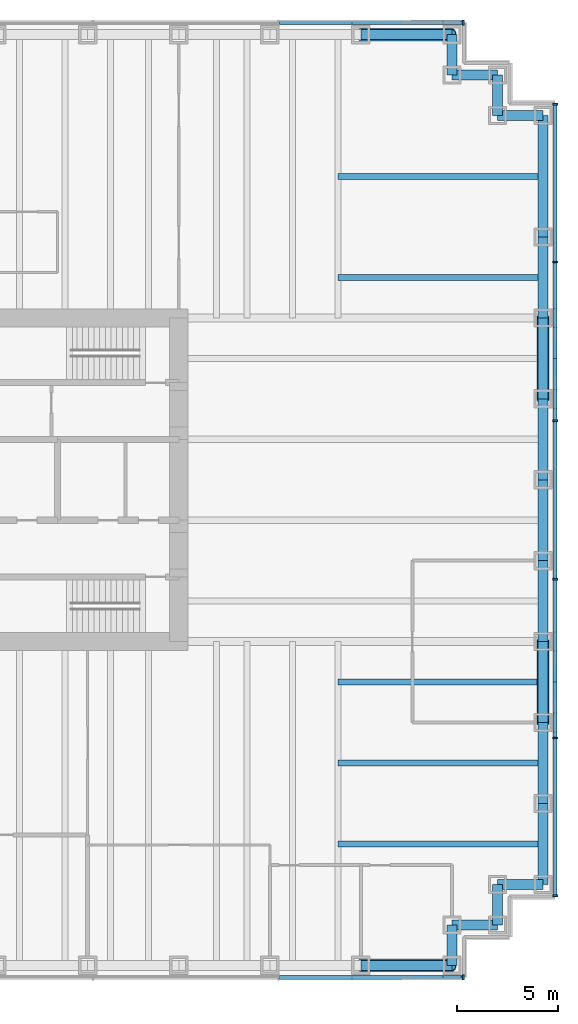
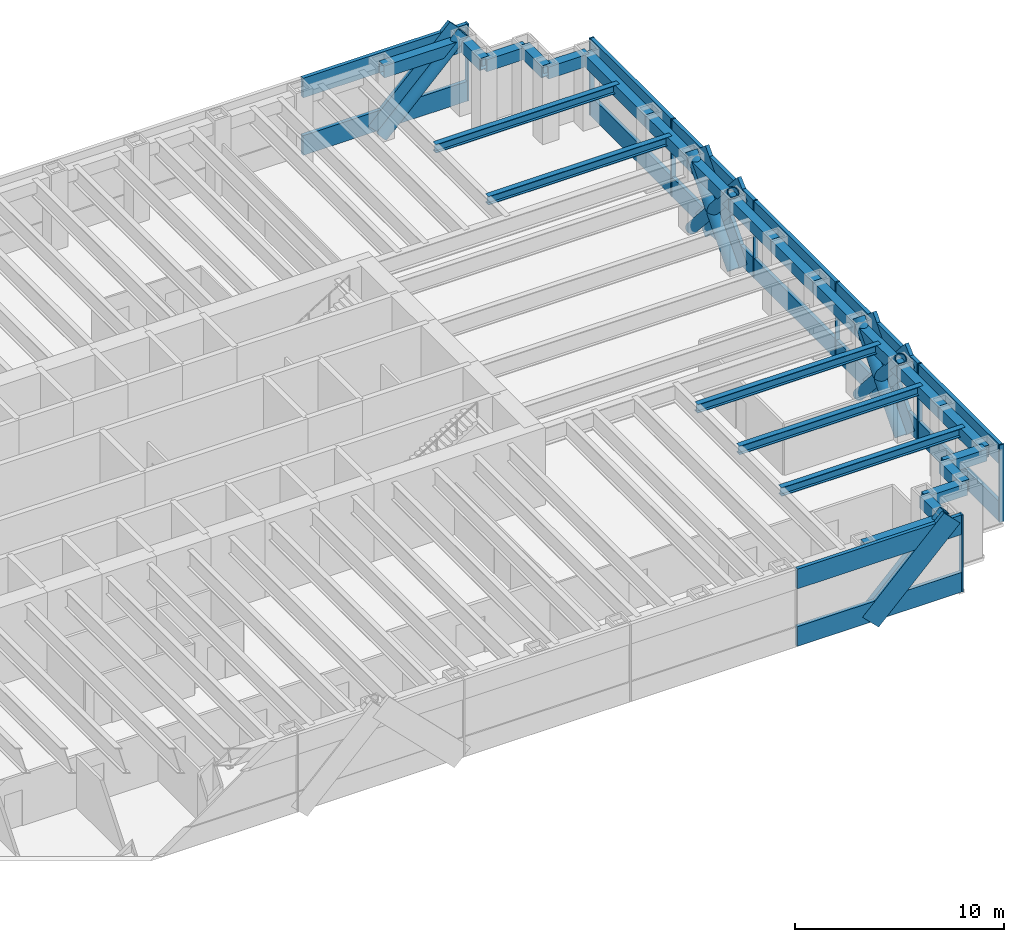
# One storey, part 7 of 13: 34 members, 24 beams, 3 elements without a shape of their own.
"""IFC4 building model written with IfcOpenShell, lengths in metres."""

from ifc_helpers import new_model, si_unit, direction, frame, origin, origin_2d, place, context, subcontext, project, spatial, rectangle, hollow_rectangle, hollow_circle, i_section, extrude, material, material_profile, profile_set, type_object, element, aggregate, save


model = new_model("IFC4")

# Units and contexts
model_context = context("Model", 3, precision=1e-05, world=origin(), true_north=direction((0.0, 1.0)))
body_context = subcontext(model_context, "Body", "Model", "MODEL_VIEW")
ifc_project = project(units=[si_unit("LENGTHUNIT", "METRE"), si_unit("AREAUNIT", "SQUARE_METRE"), si_unit("VOLUMEUNIT", "CUBIC_METRE"), si_unit("PLANEANGLEUNIT", "RADIAN"), si_unit("MASSUNIT", "GRAM", prefix="KILO")], contexts=[model_context])

# Site, building, storey
site_placement = place(None, origin())
site = spatial("IfcSite", under=ifc_project, at=site_placement, CompositionType="ELEMENT")
building_placement = place(site_placement, origin())
building = spatial("IfcBuilding", under=site, at=building_placement, Name="Rheinbord Bourse Tower", CompositionType="ELEMENT")
storey_placement = place(building_placement, frame((0.0, 0.0, 90.5)))
storey = spatial("IfcBuildingStorey", under=building, at=storey_placement, Name="L19", CompositionType="ELEMENT", Elevation=90.5)

# Beams
ifc_material_1 = material(Name="Steel S460M", Category="steel")
ifc_material_profile_1 = material_profile(ifc_material_1, hollow_rectangle(XDim=0.5, YDim=0.699951171875, WallThickness=0.0400390625, at=origin_2d()), Name="BOX 700x500x40")
ifc_profile_set_1 = profile_set([ifc_material_profile_1], Name="Steel S460M")
beam_type_1 = type_object("IfcBeamType", Name="BELT CHORD BOX 700x500x40", PredefinedType="SPANDREL", material=ifc_profile_set_1)
beam_1_placement = place(storey_placement, frame((63.0, 0.0, 3.89990234375), z_axis=(1.0, 0.0, 0.0), x_axis=(0.0, 1.0, 0.0)))
element("IfcBeam", 1, at=beam_1_placement, inside=storey, type_object=beam_type_1, Name="Spandrel S-63-SE-E under L20", PredefinedType="SPANDREL", context=body_context, shape_type="SweptSolid", body=[
    extrude(hollow_rectangle(XDim=0.5, YDim=0.699951171875, WallThickness=0.0400390625, at=origin_2d()), origin(), (0.0, 0.0, 1.0), 4.5),
])
beam_2_placement = place(storey_placement, frame((67.5, 0.0, 3.89990234375), z_axis=(0.0, 1.0, 0.0), x_axis=(-1.0, 0.0, 0.0)))
element("IfcBeam", 2, at=beam_2_placement, inside=storey, type_object=beam_type_1, Name="Spandrel SE-E-SE-D under L20", PredefinedType="SPANDREL", context=body_context, shape_type="SweptSolid", body=[
    extrude(hollow_rectangle(XDim=0.5, YDim=0.699951171875, WallThickness=0.0400390625, at=origin_2d()), origin(), (0.0, 0.0, 1.0), 2.0),
])
beam_3_placement = place(storey_placement, frame((67.5, 2.0, 3.89990234375), z_axis=(1.0, 0.0, 0.0), x_axis=(0.0, 1.0, 0.0)))
element("IfcBeam", 3, at=beam_3_placement, inside=storey, type_object=beam_type_1, Name="Spandrel SE-D-SE-C under L20", PredefinedType="SPANDREL", context=body_context, shape_type="SweptSolid", body=[
    extrude(hollow_rectangle(XDim=0.5, YDim=0.699951171875, WallThickness=0.0400390625, at=origin_2d()), origin(), (0.0, 0.0, 1.0), 2.25),
])
beam_4_placement = place(storey_placement, frame((69.75, 2.0, 3.89990234375), z_axis=(0.0, 1.0, 0.0), x_axis=(-1.0, 0.0, 0.0)))
element("IfcBeam", 4, at=beam_4_placement, inside=storey, type_object=beam_type_1, Name="Spandrel SE-C-SE-B under L20", PredefinedType="SPANDREL", context=body_context, shape_type="SweptSolid", body=[
    extrude(hollow_rectangle(XDim=0.5, YDim=0.699951171875, WallThickness=0.0400390625, at=origin_2d()), origin(), (0.0, 0.0, 1.0), 2.0),
])
beam_5_placement = place(storey_placement, frame((69.75, 4.0, 3.89990234375), z_axis=(1.0, 0.0, 0.0), x_axis=(0.0, 1.0, 0.0)))
element("IfcBeam", 5, at=beam_5_placement, inside=storey, type_object=beam_type_1, Name="Spandrel SE-B-SE-A under L20", PredefinedType="SPANDREL", context=body_context, shape_type="SweptSolid", body=[
    extrude(hollow_rectangle(XDim=0.5, YDim=0.699951171875, WallThickness=0.0400390625, at=origin_2d()), origin(), (0.0, 0.0, 1.0), 2.25),
])
for number, where, z_axis, x_axis, name in (
    (6, (72.0, 4.0, 3.89990234375), (0.0, 1.0, 0.0), (-1.0, 0.0, 0.0), "Spandrel SE-A-E-8 under L20"),
    (7, (72.0, 8.0, 3.89990234375), (0.0, 1.0, 0.0), (-1.0, 0.0, 0.0), "Spandrel E-8-E-12 under L20"),
    (8, (72.0, 12.0, 3.89990234375), (0.0, 1.0, 0.0), (-1.0, 0.0, 0.0), "Spandrel E-12-E-16 under L20"),
    (9, (72.0, 16.0, 3.89990234375), (0.0, 1.0, 0.0), (-1.0, 0.0, 0.0), "Spandrel E-16-E-20 under L20"),
    (10, (72.0, 20.0, 3.89990234375), (0.0, 1.0, 0.0), (-1.0, 0.0, 0.0), "Spandrel E-20-E-24 under L20"),
    (11, (72.0, 24.0, 3.89990234375), (0.0, 1.0, 0.0), (-1.0, 0.0, 0.0), "Spandrel E-24-E-28 under L20"),
    (12, (72.0, 28.0, 3.89990234375), (0.0, 1.0, 0.0), (-1.0, 0.0, 0.0), "Spandrel E-28-E-32 under L20"),
    (13, (72.0, 32.0, 3.89990234375), (0.0, 1.0, 0.0), (-1.0, 0.0, 0.0), "Spandrel E-32-E-36 under L20"),
):
    element("IfcBeam", number, at=place(storey_placement, frame(where, z_axis=z_axis, x_axis=x_axis)), inside=storey, type_object=beam_type_1, Name=name, PredefinedType="SPANDREL", context=body_context, shape_type="SweptSolid", body=[
        extrude(hollow_rectangle(XDim=0.5, YDim=0.699951171875, WallThickness=0.0400390625, at=origin_2d()), origin(), (0.0, 0.0, 1.0), 4.0),
    ])
beam_6_placement = place(storey_placement, frame((72.0, 36.0, 3.89990234375), z_axis=(0.0, 1.0, 0.0), x_axis=(-1.0, 0.0, 0.0)))
element("IfcBeam", 14, at=beam_6_placement, inside=storey, type_object=beam_type_1, Name="Spandrel E-36-NE-A under L20", PredefinedType="SPANDREL", context=body_context, shape_type="SweptSolid", body=[
    extrude(hollow_rectangle(XDim=0.5, YDim=0.699951171875, WallThickness=0.0400390625, at=origin_2d()), origin(), (0.0, 0.0, 1.0), 6.0),
])
beam_7_placement = place(storey_placement, frame((72.0, 42.0, 3.89990234375), z_axis=(-1.0, 0.0, 0.0), x_axis=(0.0, -1.0, 0.0)))
element("IfcBeam", 15, at=beam_7_placement, inside=storey, type_object=beam_type_1, Name="Spandrel NE-A-NE-B under L20", PredefinedType="SPANDREL", context=body_context, shape_type="SweptSolid", body=[
    extrude(hollow_rectangle(XDim=0.5, YDim=0.699951171875, WallThickness=0.0400390625, at=origin_2d()), origin(), (0.0, 0.0, 1.0), 2.25),
])
beam_8_placement = place(storey_placement, frame((69.75, 42.0, 3.89990234375), z_axis=(0.0, 1.0, 0.0), x_axis=(-1.0, 0.0, 0.0)))
element("IfcBeam", 16, at=beam_8_placement, inside=storey, type_object=beam_type_1, Name="Spandrel NE-B-NE-C under L20", PredefinedType="SPANDREL", context=body_context, shape_type="SweptSolid", body=[
    extrude(hollow_rectangle(XDim=0.5, YDim=0.699951171875, WallThickness=0.0400390625, at=origin_2d()), origin(), (0.0, 0.0, 1.0), 2.0),
])
beam_9_placement = place(storey_placement, frame((69.75, 44.0, 3.89990234375), z_axis=(-1.0, 0.0, 0.0), x_axis=(0.0, -1.0, 0.0)))
element("IfcBeam", 17, at=beam_9_placement, inside=storey, type_object=beam_type_1, Name="Spandrel NE-C-NE-D under L20", PredefinedType="SPANDREL", context=body_context, shape_type="SweptSolid", body=[
    extrude(hollow_rectangle(XDim=0.5, YDim=0.699951171875, WallThickness=0.0400390625, at=origin_2d()), origin(), (0.0, 0.0, 1.0), 2.25),
])
beam_10_placement = place(storey_placement, frame((67.5, 44.0, 3.89990234375), z_axis=(0.0, 1.0, 0.0), x_axis=(-1.0, 0.0, 0.0)))
element("IfcBeam", 18, at=beam_10_placement, inside=storey, type_object=beam_type_1, Name="Spandrel NE-D-NE-E under L20", PredefinedType="SPANDREL", context=body_context, shape_type="SweptSolid", body=[
    extrude(hollow_rectangle(XDim=0.5, YDim=0.699951171875, WallThickness=0.0400390625, at=origin_2d()), origin(), (0.0, 0.0, 1.0), 2.0),
])
beam_11_placement = place(storey_placement, frame((67.5, 46.0, 3.89990234375), z_axis=(-1.0, 0.0, 0.0), x_axis=(0.0, -1.0, 0.0)))
element("IfcBeam", 19, at=beam_11_placement, inside=storey, type_object=beam_type_1, Name="Spandrel NE-E-N-63 under L20", PredefinedType="SPANDREL", context=body_context, shape_type="SweptSolid", body=[
    extrude(hollow_rectangle(XDim=0.5, YDim=0.699951171875, WallThickness=0.0400390625, at=origin_2d()), origin(), (0.0, 0.0, 1.0), 4.5),
])

# Curtain wall, member
ifc_material_2 = material(Name="Dark glass and black aluminium", Category="aluminium")
curtain_wall_type = type_object("IfcCurtainWallType", Name="CW5 DARK GLASS CURTAIN WALL", PredefinedType="USERDEFINED", material=ifc_material_2)
curtain_wall_1_placement = place(storey_placement, origin())
curtain_wall_1 = element("IfcCurtainWall", 20, at=curtain_wall_1_placement, inside=storey, type_object=curtain_wall_type, Name="Curtain wall CW5 S L19", ObjectType="UNITISED CURTAIN WALL", PredefinedType="USERDEFINED")
ifc_material_3 = material(Name="Black anodised aluminium", Category="aluminium")
ifc_material_profile_2 = material_profile(ifc_material_3, rectangle(XDim=0.199951171875, YDim=1.259033203125, at=origin_2d()), Name="CW5 DIAGONAL MULLION 1259x200")
ifc_profile_set_2 = profile_set([ifc_material_profile_2], Name="Black anodised aluminium")
member_type_1 = type_object("IfcMemberType", Name="CW5 BLACK DIAGONAL MULLION", PredefinedType="USERDEFINED", material=ifc_profile_set_2)
member_1_placement = place(storey_placement, frame((63.0, -0.60009765625, 0.0), z_axis=(0.707106781187, 0.0, 0.707106781187), x_axis=(0.0, 1.0, 0.0)))
member_1 = element("IfcMember", 21, at=member_1_placement, type_object=member_type_1, Name="CW5 diagonal mullion d", ObjectType="DIAGONAL MULLION", PredefinedType="USERDEFINED", context=body_context, shape_type="SweptSolid", body=[
    extrude(rectangle(XDim=0.199951171875, YDim=1.259033203125, at=origin_2d()), origin(), (0.0, 0.0, 1.0), 6.364013671875),
])

# Curtain wall, members
curtain_wall_2_placement = place(storey_placement, origin())
curtain_wall_2 = element("IfcCurtainWall", 22, at=curtain_wall_2_placement, inside=storey, type_object=curtain_wall_type, Name="Curtain wall CW5 E L19", ObjectType="UNITISED CURTAIN WALL", PredefinedType="USERDEFINED")
member_2_placement = place(storey_placement, frame((72.60009765625, 12.0, 0.0), z_axis=(0.0, 0.66436383883, 0.747409318684), x_axis=(-1.0, 0.0, 0.0)))
member_2 = element("IfcMember", 23, at=member_2_placement, type_object=member_type_1, Name="CW5 diagonal mullion a", ObjectType="DIAGONAL MULLION", PredefinedType="USERDEFINED", context=body_context, shape_type="SweptSolid", body=[
    extrude(rectangle(XDim=0.199951171875, YDim=1.259033203125, at=origin_2d()), origin(), (0.0, 0.0, 1.0), 6.020751953125),
])
member_3_placement = place(storey_placement, frame((72.60009765625, 32.0, 0.0), z_axis=(0.0, -0.66436383883, 0.747409318684), x_axis=(1.0, 0.0, 0.0)))
member_3 = element("IfcMember", 24, at=member_3_placement, type_object=member_type_1, Name="CW5 diagonal mullion b", ObjectType="DIAGONAL MULLION", PredefinedType="USERDEFINED", context=body_context, shape_type="SweptSolid", body=[
    extrude(rectangle(XDim=0.199951171875, YDim=1.259033203125, at=origin_2d()), origin(), (0.0, 0.0, 1.0), 6.020751953125),
])
member_4_placement = place(storey_placement, frame((72.60009765625, 28.0, 0.0), z_axis=(0.0, 0.66436383883, 0.747409318684), x_axis=(-1.0, 0.0, 0.0)))
member_4 = element("IfcMember", 25, at=member_4_placement, type_object=member_type_1, Name="CW5 diagonal mullion c", ObjectType="DIAGONAL MULLION", PredefinedType="USERDEFINED", context=body_context, shape_type="SweptSolid", body=[
    extrude(rectangle(XDim=0.199951171875, YDim=1.259033203125, at=origin_2d()), origin(), (0.0, 0.0, 1.0), 6.020751953125),
])
member_5_placement = place(storey_placement, frame((72.60009765625, 16.0, 0.0), z_axis=(0.0, -0.66436383883, 0.747409318684), x_axis=(1.0, 0.0, 0.0)))
member_5 = element("IfcMember", 26, at=member_5_placement, type_object=member_type_1, Name="CW5 diagonal mullion d", ObjectType="DIAGONAL MULLION", PredefinedType="USERDEFINED", context=body_context, shape_type="SweptSolid", body=[
    extrude(rectangle(XDim=0.199951171875, YDim=1.259033203125, at=origin_2d()), origin(), (0.0, 0.0, 1.0), 6.020751953125),
])

# Curtain wall, member
curtain_wall_3_placement = place(storey_placement, origin())
curtain_wall_3 = element("IfcCurtainWall", 27, at=curtain_wall_3_placement, inside=storey, type_object=curtain_wall_type, Name="Curtain wall CW5 N L19", ObjectType="UNITISED CURTAIN WALL", PredefinedType="USERDEFINED")
member_6_placement = place(storey_placement, frame((63.0, 46.60009765625, 0.0), z_axis=(0.707106781187, 0.0, 0.707106781187), x_axis=(0.0, 1.0, 0.0)))
member_6 = element("IfcMember", 28, at=member_6_placement, type_object=member_type_1, Name="CW5 diagonal mullion d", ObjectType="DIAGONAL MULLION", PredefinedType="USERDEFINED", context=body_context, shape_type="SweptSolid", body=[
    extrude(rectangle(XDim=0.199951171875, YDim=1.259033203125, at=origin_2d()), origin(), (0.0, 0.0, 1.0), 6.364013671875),
])

# Member
ifc_material_4 = material(Name="Black anodised aluminium", Category="aluminium")
ifc_material_profile_3 = material_profile(ifc_material_4, rectangle(XDim=0.25, YDim=0.080078125, at=origin_2d()), Name="CW5 MULLION 80x250")
ifc_profile_set_3 = profile_set([ifc_material_profile_3], Name="Black anodised aluminium")
member_type_2 = type_object("IfcMemberType", Name="CW5 BLACK MULLION", PredefinedType="MULLION", material=ifc_profile_set_3)
member_7_placement = place(storey_placement, frame((68.06005859375, -0.60009765625, 0.0), z_axis=(0.0, 0.0, 1.0), x_axis=(0.0, 1.0, 0.0)))
member_7 = element("IfcMember", 29, at=member_7_placement, type_object=member_type_2, Name="CW5 mullion 8", PredefinedType="MULLION", context=body_context, shape_type="SweptSolid", body=[
    extrude(rectangle(XDim=0.25, YDim=0.080078125, at=origin_2d()), origin(), (0.0, 0.0, 1.0), 4.5),
])

member_8_placement = place(storey_placement, frame((72.60009765625, 3.43994140625, 0.0), z_axis=(0.0, 0.0, 1.0), x_axis=(-1.0, 0.0, 0.0)))
member_8 = element("IfcMember", 30, at=member_8_placement, type_object=member_type_2, Name="CW5 mullion 1", PredefinedType="MULLION", context=body_context, shape_type="SweptSolid", body=[
    extrude(rectangle(XDim=0.25, YDim=0.080078125, at=origin_2d()), origin(), (0.0, 0.0, 1.0), 4.5),
])

member_9_placement = place(storey_placement, frame((72.60009765625, 11.239990234375, 0.0), z_axis=(0.0, 0.0, 1.0), x_axis=(-1.0, 0.0, 0.0)))
member_9 = element("IfcMember", 31, at=member_9_placement, type_object=member_type_2, Name="CW5 mullion 2", PredefinedType="MULLION", context=body_context, shape_type="SweptSolid", body=[
    extrude(rectangle(XDim=0.25, YDim=0.080078125, at=origin_2d()), origin(), (0.0, 0.0, 1.0), 4.5),
])

member_10_placement = place(storey_placement, frame((72.60009765625, 19.080078125, 0.0), z_axis=(0.0, 0.0, 1.0), x_axis=(-1.0, 0.0, 0.0)))
member_10 = element("IfcMember", 32, at=member_10_placement, type_object=member_type_2, Name="CW5 mullion 3", PredefinedType="MULLION", context=body_context, shape_type="SweptSolid", body=[
    extrude(rectangle(XDim=0.25, YDim=0.080078125, at=origin_2d()), origin(), (0.0, 0.0, 1.0), 4.5),
])

member_11_placement = place(storey_placement, frame((72.60009765625, 26.919921875, 0.0), z_axis=(0.0, 0.0, 1.0), x_axis=(-1.0, 0.0, 0.0)))
member_11 = element("IfcMember", 33, at=member_11_placement, type_object=member_type_2, Name="CW5 mullion 4", PredefinedType="MULLION", context=body_context, shape_type="SweptSolid", body=[
    extrude(rectangle(XDim=0.25, YDim=0.080078125, at=origin_2d()), origin(), (0.0, 0.0, 1.0), 4.5),
])

member_12_placement = place(storey_placement, frame((72.60009765625, 34.760009765625, 0.0), z_axis=(0.0, 0.0, 1.0), x_axis=(-1.0, 0.0, 0.0)))
member_12 = element("IfcMember", 34, at=member_12_placement, type_object=member_type_2, Name="CW5 mullion 5", PredefinedType="MULLION", context=body_context, shape_type="SweptSolid", body=[
    extrude(rectangle(XDim=0.25, YDim=0.080078125, at=origin_2d()), origin(), (0.0, 0.0, 1.0), 4.5),
])

member_13_placement = place(storey_placement, frame((72.60009765625, 42.56005859375, 0.0), z_axis=(0.0, 0.0, 1.0), x_axis=(-1.0, 0.0, 0.0)))
member_13 = element("IfcMember", 35, at=member_13_placement, type_object=member_type_2, Name="CW5 mullion 6", PredefinedType="MULLION", context=body_context, shape_type="SweptSolid", body=[
    extrude(rectangle(XDim=0.25, YDim=0.080078125, at=origin_2d()), origin(), (0.0, 0.0, 1.0), 4.5),
])

member_14_placement = place(storey_placement, frame((68.06005859375, 46.60009765625, 0.0), z_axis=(0.0, 0.0, 1.0), x_axis=(0.0, -1.0, 0.0)))
member_14 = element("IfcMember", 36, at=member_14_placement, type_object=member_type_2, Name="CW5 mullion 1", PredefinedType="MULLION", context=body_context, shape_type="SweptSolid", body=[
    extrude(rectangle(XDim=0.25, YDim=0.080078125, at=origin_2d()), origin(), (0.0, 0.0, 1.0), 4.5),
])

ifc_material_5 = material(Name="Black anodised aluminium", Category="aluminium")
ifc_material_profile_4 = material_profile(ifc_material_5, rectangle(XDim=0.199951171875, YDim=1.14990234375, at=origin_2d()), Name="CW5 TRANSOM 1150x200")
ifc_profile_set_4 = profile_set([ifc_material_profile_4], Name="Black anodised aluminium")
member_type_3 = type_object("IfcMemberType", Name="CW5 BLACK TRANSOM", PredefinedType="USERDEFINED", material=ifc_profile_set_4)
member_15_placement = place(storey_placement, frame((58.968505859375, -0.60009765625, 0.574951171875), z_axis=(1.0, 0.0, 0.0), x_axis=(0.0, 1.0, 0.0)))
member_15 = element("IfcMember", 37, at=member_15_placement, type_object=member_type_3, Name="CW5 transom 7.1", ObjectType="TRANSOM", PredefinedType="USERDEFINED", context=body_context, shape_type="SweptSolid", body=[
    extrude(rectangle(XDim=0.199951171875, YDim=1.14990234375, at=origin_2d()), origin(), (0.0, 0.0, 1.0), 9.051513671875),
])

member_16_placement = place(storey_placement, frame((58.968505859375, -0.60009765625, 3.925048828125), z_axis=(1.0, 0.0, 0.0), x_axis=(0.0, 1.0, 0.0)))
member_16 = element("IfcMember", 38, at=member_16_placement, type_object=member_type_3, Name="CW5 transom 7.2", ObjectType="TRANSOM", PredefinedType="USERDEFINED", context=body_context, shape_type="SweptSolid", body=[
    extrude(rectangle(XDim=0.199951171875, YDim=1.14990234375, at=origin_2d()), origin(), (0.0, 0.0, 1.0), 9.051513671875),
])

aggregate(curtain_wall_1, [member_7, member_15, member_16, member_1])

member_17_placement = place(storey_placement, frame((72.60009765625, 3.47998046875, 0.574951171875), z_axis=(0.0, 1.0, 0.0), x_axis=(-1.0, 0.0, 0.0)))
member_17 = element("IfcMember", 39, at=member_17_placement, type_object=member_type_3, Name="CW5 transom 1.1", ObjectType="TRANSOM", PredefinedType="USERDEFINED", context=body_context, shape_type="SweptSolid", body=[
    extrude(rectangle(XDim=0.199951171875, YDim=1.14990234375, at=origin_2d()), origin(), (0.0, 0.0, 1.0), 7.719970703125),
])

member_18_placement = place(storey_placement, frame((72.60009765625, 3.47998046875, 3.925048828125), z_axis=(0.0, 1.0, 0.0), x_axis=(-1.0, 0.0, 0.0)))
member_18 = element("IfcMember", 40, at=member_18_placement, type_object=member_type_3, Name="CW5 transom 1.2", ObjectType="TRANSOM", PredefinedType="USERDEFINED", context=body_context, shape_type="SweptSolid", body=[
    extrude(rectangle(XDim=0.199951171875, YDim=1.14990234375, at=origin_2d()), origin(), (0.0, 0.0, 1.0), 7.719970703125),
])

member_19_placement = place(storey_placement, frame((72.60009765625, 11.280029296875, 0.574951171875), z_axis=(0.0, 1.0, 0.0), x_axis=(-1.0, 0.0, 0.0)))
member_19 = element("IfcMember", 41, at=member_19_placement, type_object=member_type_3, Name="CW5 transom 2.1", ObjectType="TRANSOM", PredefinedType="USERDEFINED", context=body_context, shape_type="SweptSolid", body=[
    extrude(rectangle(XDim=0.199951171875, YDim=1.14990234375, at=origin_2d()), origin(), (0.0, 0.0, 1.0), 7.760009765625),
])

member_20_placement = place(storey_placement, frame((72.60009765625, 11.280029296875, 3.925048828125), z_axis=(0.0, 1.0, 0.0), x_axis=(-1.0, 0.0, 0.0)))
member_20 = element("IfcMember", 42, at=member_20_placement, type_object=member_type_3, Name="CW5 transom 2.2", ObjectType="TRANSOM", PredefinedType="USERDEFINED", context=body_context, shape_type="SweptSolid", body=[
    extrude(rectangle(XDim=0.199951171875, YDim=1.14990234375, at=origin_2d()), origin(), (0.0, 0.0, 1.0), 7.760009765625),
])

member_21_placement = place(storey_placement, frame((72.60009765625, 19.1201171875, 0.574951171875), z_axis=(0.0, 1.0, 0.0), x_axis=(-1.0, 0.0, 0.0)))
member_21 = element("IfcMember", 43, at=member_21_placement, type_object=member_type_3, Name="CW5 transom 3.1", ObjectType="TRANSOM", PredefinedType="USERDEFINED", context=body_context, shape_type="SweptSolid", body=[
    extrude(rectangle(XDim=0.199951171875, YDim=1.14990234375, at=origin_2d()), origin(), (0.0, 0.0, 1.0), 7.759765625),
])

member_22_placement = place(storey_placement, frame((72.60009765625, 19.1201171875, 3.925048828125), z_axis=(0.0, 1.0, 0.0), x_axis=(-1.0, 0.0, 0.0)))
member_22 = element("IfcMember", 44, at=member_22_placement, type_object=member_type_3, Name="CW5 transom 3.2", ObjectType="TRANSOM", PredefinedType="USERDEFINED", context=body_context, shape_type="SweptSolid", body=[
    extrude(rectangle(XDim=0.199951171875, YDim=1.14990234375, at=origin_2d()), origin(), (0.0, 0.0, 1.0), 7.759765625),
])

member_23_placement = place(storey_placement, frame((72.60009765625, 26.9599609375, 0.574951171875), z_axis=(0.0, 1.0, 0.0), x_axis=(-1.0, 0.0, 0.0)))
member_23 = element("IfcMember", 45, at=member_23_placement, type_object=member_type_3, Name="CW5 transom 4.1", ObjectType="TRANSOM", PredefinedType="USERDEFINED", context=body_context, shape_type="SweptSolid", body=[
    extrude(rectangle(XDim=0.199951171875, YDim=1.14990234375, at=origin_2d()), origin(), (0.0, 0.0, 1.0), 7.760009765625),
])

member_24_placement = place(storey_placement, frame((72.60009765625, 26.9599609375, 3.925048828125), z_axis=(0.0, 1.0, 0.0), x_axis=(-1.0, 0.0, 0.0)))
member_24 = element("IfcMember", 46, at=member_24_placement, type_object=member_type_3, Name="CW5 transom 4.2", ObjectType="TRANSOM", PredefinedType="USERDEFINED", context=body_context, shape_type="SweptSolid", body=[
    extrude(rectangle(XDim=0.199951171875, YDim=1.14990234375, at=origin_2d()), origin(), (0.0, 0.0, 1.0), 7.760009765625),
])

member_25_placement = place(storey_placement, frame((72.60009765625, 34.800048828125, 0.574951171875), z_axis=(0.0, 1.0, 0.0), x_axis=(-1.0, 0.0, 0.0)))
member_25 = element("IfcMember", 47, at=member_25_placement, type_object=member_type_3, Name="CW5 transom 5.1", ObjectType="TRANSOM", PredefinedType="USERDEFINED", context=body_context, shape_type="SweptSolid", body=[
    extrude(rectangle(XDim=0.199951171875, YDim=1.14990234375, at=origin_2d()), origin(), (0.0, 0.0, 1.0), 7.719970703125),
])

member_26_placement = place(storey_placement, frame((72.60009765625, 34.800048828125, 3.925048828125), z_axis=(0.0, 1.0, 0.0), x_axis=(-1.0, 0.0, 0.0)))
member_26 = element("IfcMember", 48, at=member_26_placement, type_object=member_type_3, Name="CW5 transom 5.2", ObjectType="TRANSOM", PredefinedType="USERDEFINED", context=body_context, shape_type="SweptSolid", body=[
    extrude(rectangle(XDim=0.199951171875, YDim=1.14990234375, at=origin_2d()), origin(), (0.0, 0.0, 1.0), 7.719970703125),
])

aggregate(curtain_wall_2, [member_8, member_9, member_10, member_11, member_12, member_13, member_17, member_18, member_19, member_20, member_21, member_22, member_23, member_24, member_25, member_26, member_2, member_3, member_4, member_5])

member_27_placement = place(storey_placement, frame((68.02001953125, 46.60009765625, 0.574951171875), z_axis=(-1.0, 0.0, 0.0), x_axis=(0.0, -1.0, 0.0)))
member_27 = element("IfcMember", 49, at=member_27_placement, type_object=member_type_3, Name="CW5 transom 1.1", ObjectType="TRANSOM", PredefinedType="USERDEFINED", context=body_context, shape_type="SweptSolid", body=[
    extrude(rectangle(XDim=0.199951171875, YDim=1.14990234375, at=origin_2d()), origin(), (0.0, 0.0, 1.0), 9.051513671875),
])

member_28_placement = place(storey_placement, frame((68.02001953125, 46.60009765625, 3.925048828125), z_axis=(-1.0, 0.0, 0.0), x_axis=(0.0, -1.0, 0.0)))
member_28 = element("IfcMember", 50, at=member_28_placement, type_object=member_type_3, Name="CW5 transom 1.2", ObjectType="TRANSOM", PredefinedType="USERDEFINED", context=body_context, shape_type="SweptSolid", body=[
    extrude(rectangle(XDim=0.199951171875, YDim=1.14990234375, at=origin_2d()), origin(), (0.0, 0.0, 1.0), 9.051513671875),
])

aggregate(curtain_wall_3, [member_14, member_27, member_28, member_6])

# Members
ifc_material_6 = material(Name="Steel S460", Category="steel")
ifc_material_profile_5 = material_profile(ifc_material_6, hollow_circle(Radius=0.304931640625, WallThickness=0.050048828125, at=origin_2d()), Name="CHS 610x50")
ifc_profile_set_5 = profile_set([ifc_material_profile_5], Name="Steel S460")
member_type_4 = type_object("IfcMemberType", Name="MEGABRACE CHS 610x50", PredefinedType="BRACE", material=ifc_profile_set_5)
member_29_placement = place(storey_placement, frame((63.0, 0.0, 0.0), z_axis=(0.707106781187, 0.0, 0.707106781187), x_axis=(0.0, 1.0, 0.0)))
element("IfcMember", 51, at=member_29_placement, inside=storey, type_object=member_type_4, Name="Megabrace S face line d L19", PredefinedType="BRACE", context=body_context, shape_type="SweptSolid", body=[
    extrude(hollow_circle(Radius=0.304931640625, WallThickness=0.050048828125, at=origin_2d()), origin(), (0.0, 0.0, 1.0), 6.364013671875),
])
for number, where, z_axis, x_axis, name in (
    (52, (72.0, 12.0, 0.0), (0.0, 0.66436383883, 0.747409318684), (-1.0, 0.0, 0.0), "Megabrace E face line a L19"),
    (53, (72.0, 32.0, 0.0), (0.0, -0.66436383883, 0.747409318684), (1.0, 0.0, 0.0), "Megabrace E face line b L19"),
    (54, (72.0, 28.0, 0.0), (0.0, 0.66436383883, 0.747409318684), (-1.0, 0.0, 0.0), "Megabrace E face line c L19"),
    (55, (72.0, 16.0, 0.0), (0.0, -0.66436383883, 0.747409318684), (1.0, 0.0, 0.0), "Megabrace E face line d L19"),
):
    element("IfcMember", number, at=place(storey_placement, frame(where, z_axis=z_axis, x_axis=x_axis)), inside=storey, type_object=member_type_4, Name=name, PredefinedType="BRACE", context=body_context, shape_type="SweptSolid", body=[
        extrude(hollow_circle(Radius=0.304931640625, WallThickness=0.050048828125, at=origin_2d()), origin(), (0.0, 0.0, 1.0), 6.020751953125),
    ])
member_30_placement = place(storey_placement, frame((63.0, 46.0, 0.0), z_axis=(0.707106781187, 0.0, 0.707106781187), x_axis=(0.0, 1.0, 0.0)))
element("IfcMember", 56, at=member_30_placement, inside=storey, type_object=member_type_4, Name="Megabrace N face line d L19", PredefinedType="BRACE", context=body_context, shape_type="SweptSolid", body=[
    extrude(hollow_circle(Radius=0.304931640625, WallThickness=0.050048828125, at=origin_2d()), origin(), (0.0, 0.0, 1.0), 6.364013671875),
])

# Beams
ifc_material_7 = material(Name="Steel S460", Category="steel")
ifc_material_profile_6 = material_profile(ifc_material_7, i_section(OverallWidth=0.300048828125, OverallDepth=0.5, WebThickness=0.014404296875, FlangeThickness=0.028076171875, at=origin_2d()), Name="HEB 500")
ifc_profile_set_6 = profile_set([ifc_material_profile_6], Name="Steel S460")
beam_type_2 = type_object("IfcBeamType", Name="TIE BEAM HEB 500", PredefinedType="JOIST", material=ifc_profile_set_6)
for number, where, z_axis, x_axis, name in (
    (57, (61.875, 6.0, 4.0), (1.0, 0.0, 0.0), (0.0, 1.0, 0.0), "Tie east 6 L20"),
    (58, (61.875, 10.0, 4.0), (1.0, 0.0, 0.0), (0.0, 1.0, 0.0), "Tie east 10 L20"),
    (59, (61.875, 14.0, 4.0), (1.0, 0.0, 0.0), (0.0, 1.0, 0.0), "Tie east 14 L20"),
    (60, (61.875, 34.0, 4.0), (1.0, 0.0, 0.0), (0.0, 1.0, 0.0), "Tie east 34 L20"),
    (61, (61.875, 39.0, 4.0), (1.0, 0.0, 0.0), (0.0, 1.0, 0.0), "Tie east 39 L20"),
):
    element("IfcBeam", number, at=place(storey_placement, frame(where, z_axis=z_axis, x_axis=x_axis)), inside=storey, type_object=beam_type_2, Name=name, PredefinedType="JOIST", context=body_context, shape_type="SweptSolid", body=[
        extrude(i_section(OverallWidth=0.300048828125, OverallDepth=0.5, WebThickness=0.014404296875, FlangeThickness=0.028076171875, at=origin_2d()), origin(), (0.0, 0.0, 1.0), 10.125),
    ])

save(model, "model.ifc")
